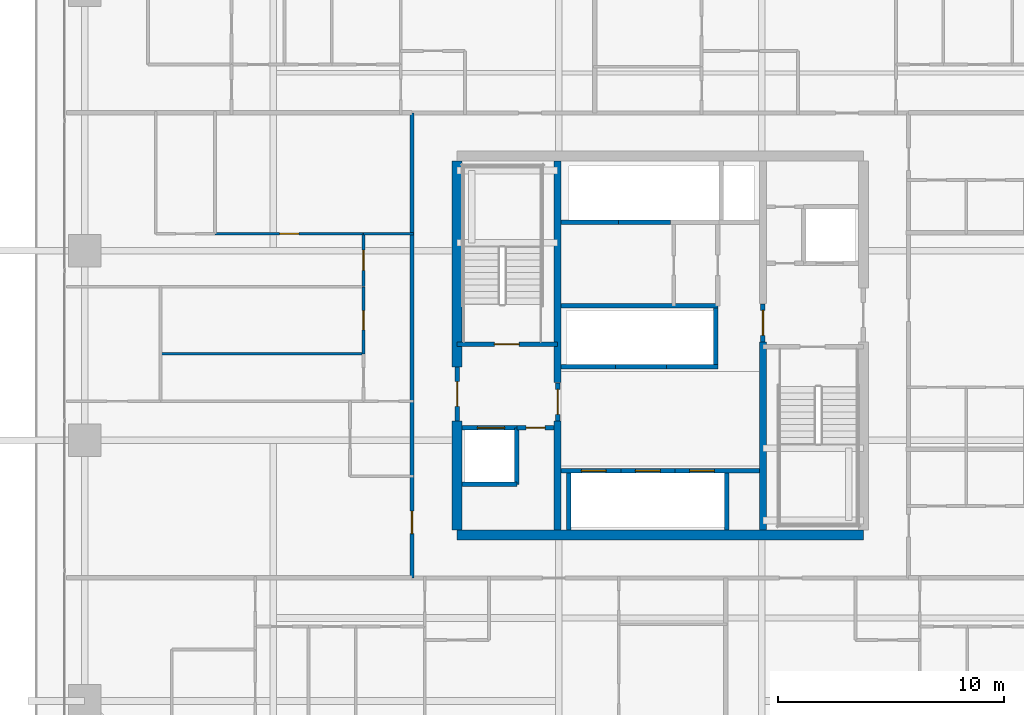
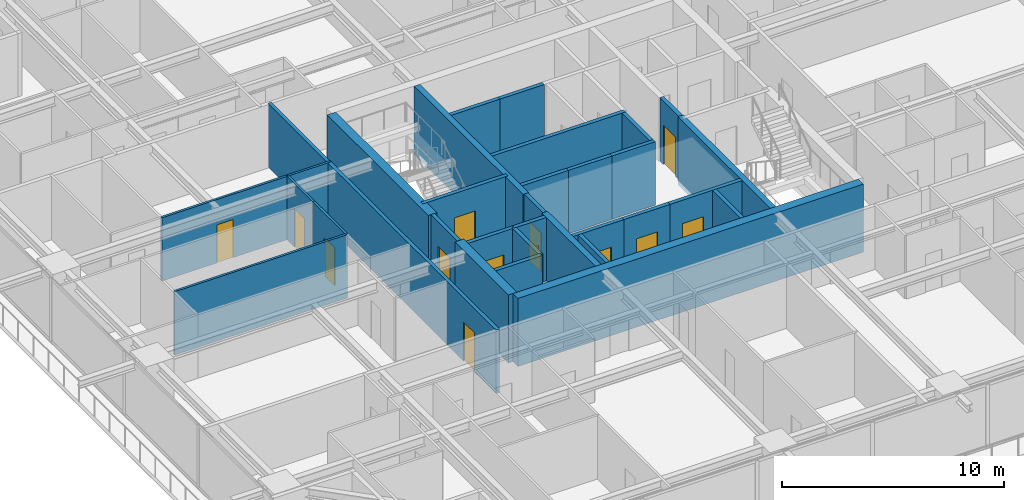
# One storey, part 28 of 38: 32 walls, 13 doors, 13 openings.
"""IFC4 building model written with IfcOpenShell, lengths in metres."""

from ifc_helpers import new_model, si_unit, direction, frame, frame_2d, origin, place, context, subcontext, project, spatial, rectangle, extrude, source, transform, mapped, material, layer, layer_set, type_object, element, fill, save


model = new_model("IFC4")

# Units and contexts
model_context = context("Model", 3, precision=1e-05, world=origin(), true_north=direction((0.0, 1.0)))
body_context = subcontext(model_context, "Body", "Model", "MODEL_VIEW")
ifc_project = project(units=[si_unit("LENGTHUNIT", "METRE"), si_unit("AREAUNIT", "SQUARE_METRE"), si_unit("VOLUMEUNIT", "CUBIC_METRE"), si_unit("PLANEANGLEUNIT", "RADIAN"), si_unit("MASSUNIT", "GRAM", prefix="KILO")], contexts=[model_context])

# Site, building, storey
site_placement = place(None, origin())
site = spatial("IfcSite", under=ifc_project, at=site_placement, CompositionType="ELEMENT")
building_placement = place(site_placement, origin())
building = spatial("IfcBuilding", under=site, at=building_placement, Name="Serunith Strait Residences", CompositionType="ELEMENT")
storey_placement = place(building_placement, frame((0.0, 0.0, 82.949951171875)))
storey = spatial("IfcBuildingStorey", under=building, at=storey_placement, Name="L20", CompositionType="ELEMENT", Elevation=82.949951171875)

# Wall, opening, door
ifc_material_1 = material(Name="Fire-rated acoustic gypsum partition")
ifc_layer_1 = layer(ifc_material_1, 0.179931640625, Name="Fire-rated acoustic gypsum partition")
ifc_layer_set_1 = layer_set([ifc_layer_1], Name="Fire-rated acoustic gypsum partition")
wall_type_1 = type_object("IfcWallType", Name="IW-CORR-180", PredefinedType="PARTITIONING", material=ifc_layer_set_1)
wall_1_placement = place(storey_placement, frame((21.39990234375, 14.89990234375, 0.0), z_axis=(0.0, 0.0, 1.0), x_axis=(0.0, 1.0, 0.0)))
wall_1 = element("IfcWall", 1, at=wall_1_placement, inside=storey, type_object=wall_type_1, Name="L20 Partition Wall 025", PredefinedType="PARTITIONING", context=body_context, shape_type="SweptSolid", body=[
    extrude(rectangle(XDim=20.60009765625, YDim=0.179931640625, at=frame_2d((10.300048828125, 0.0))), origin(), (0.0, 0.0, 1.0), 3.489990234375),
])
opening_1_placement = place(wall_1_placement, frame((1.9599609375, 0.0, 0.0)))
opening_1 = element("IfcOpeningElement", 2, at=opening_1_placement, cuts=wall_1, Name="Opening D-APT1000", PredefinedType="OPENING", context=body_context, shape_type="SweptSolid", body=[
    extrude(rectangle(XDim=1.0, YDim=2.14990234375, at=frame_2d((0.5, 1.074951171875))), frame((0.0, 0.10009765625, 0.0), z_axis=(0.0, -1.0, 0.0), x_axis=(1.0, 0.0, 0.0)), (0.0, 0.0, 1.0), 0.199951171875),
])
ifc_material_2 = material(Name="Solid timber engineered fire door", Category="wood")
door_type_1 = type_object("IfcDoorType", Name="ID-APT-1000", OperationType="NOTDEFINED", PredefinedType="DOOR", material=ifc_material_2)
shared_shape_1 = source(origin(), body_context, "Body", "SweptSolid", [
    extrude(rectangle(XDim=1.0, YDim=2.14990234375, at=frame_2d((0.5, 1.074951171875))), frame((0.0, 0.02490234375, 0.0), z_axis=(0.0, -1.0, 0.0), x_axis=(1.0, 0.0, 0.0)), (0.0, 0.0, 1.0), 0.050048828125),
])
door_1_placement = place(opening_1_placement, origin())
door_1 = element("IfcDoor", 3, at=door_1_placement, inside=storey, type_object=door_type_1, Name="L20 Unit 05 Entrance Door", OperationType="SINGLE_SWING_LEFT", OverallHeight=2.14990234375, OverallWidth=1.0, PredefinedType="DOOR", context=body_context, shape_type="MappedRepresentation", body=[
    mapped(shared_shape_1, transform((0.0, 0.0, 0.0), scale=1.0)),
])
fill(opening_1, door_1)

# Wall
ifc_material_3 = material(Name="Lightweight steel-stud gypsum partition", Category="steel")
ifc_layer_2 = layer(ifc_material_3, 0.1201171875, Name="Lightweight steel-stud gypsum partition")
ifc_layer_set_2 = layer_set([ifc_layer_2], Name="Lightweight steel-stud gypsum partition")
wall_type_2 = type_object("IfcWallType", Name="IW-PART-120", PredefinedType="PARTITIONING", material=ifc_layer_set_2)
wall_2_placement = place(storey_placement, frame((10.260009765625, 24.830078125, 0.0), z_axis=(0.0, 0.0, 1.0), x_axis=(1.0, 0.0, 0.0)))
element("IfcWall", 4, at=wall_2_placement, inside=storey, type_object=wall_type_2, Name="L20 Partition Wall 110", PredefinedType="PARTITIONING", context=body_context, shape_type="SweptSolid", body=[
    extrude(rectangle(XDim=8.989990234375, YDim=0.1201171875, at=frame_2d((4.4951171875, 0.0))), origin(), (0.0, 0.0, 1.0), 3.489990234375),
])

# Wall, opening, door
wall_3_placement = place(storey_placement, frame((19.25, 24.83203125, 0.0), z_axis=(0.0, 0.0, 1.0), x_axis=(0.0, 1.0, 0.0)))
wall_3 = element("IfcWall", 5, at=wall_3_placement, inside=storey, type_object=wall_type_2, Name="L20 Partition Wall 112", PredefinedType="PARTITIONING", context=body_context, shape_type="SweptSolid", body=[
    extrude(rectangle(XDim=2.968017578125, YDim=0.1201171875, at=frame_2d((1.48388671875, 0.0))), origin(), (0.0, 0.0, 1.0), 3.489990234375),
])
opening_2_placement = place(wall_3_placement, frame((1.05908203125, 0.0, 0.0)))
opening_2 = element("IfcOpeningElement", 6, at=opening_2_placement, cuts=wall_3, Name="Opening D-RM850", PredefinedType="OPENING", context=body_context, shape_type="SweptSolid", body=[
    extrude(rectangle(XDim=0.85009765625, YDim=2.10009765625, at=frame_2d((0.425048828125, 1.050048828125))), frame((0.0, 0.070068359375, 0.0), z_axis=(0.0, -1.0, 0.0), x_axis=(1.0, 0.0, 0.0)), (0.0, 0.0, 1.0), 0.14013671875),
])
ifc_material_4 = material(Name="Engineered timber flush study and kitchen door", Category="wood")
door_type_2 = type_object("IfcDoorType", Name="ID-ROOM-850", OperationType="NOTDEFINED", PredefinedType="DOOR", material=ifc_material_4)
shared_shape_2 = source(origin(), body_context, "Body", "SweptSolid", [
    extrude(rectangle(XDim=0.85009765625, YDim=2.10009765625, at=frame_2d((0.425048828125, 1.050048828125))), frame((0.0, 0.02490234375, 0.0), z_axis=(0.0, -1.0, 0.0), x_axis=(1.0, 0.0, 0.0)), (0.0, 0.0, 1.0), 0.050048828125),
])
door_2_placement = place(opening_2_placement, origin())
door_2 = element("IfcDoor", 7, at=door_2_placement, inside=storey, type_object=door_type_2, Name="L20 Study 2005 Door", OperationType="SINGLE_SWING_LEFT", OverallHeight=2.10009765625, OverallWidth=0.85009765625, PredefinedType="DOOR", context=body_context, shape_type="MappedRepresentation", body=[
    mapped(shared_shape_2, transform((0.0, 0.0, 0.0), scale=1.0)),
])
fill(opening_2, door_2)

wall_4_placement = place(storey_placement, frame((19.25, 27.802001953125, 0.0), z_axis=(0.0, 0.0, 1.0), x_axis=(0.0, 1.0, 0.0)))
wall_4 = element("IfcWall", 8, at=wall_4_placement, inside=storey, type_object=wall_type_2, Name="L20 Partition Wall 113", PredefinedType="PARTITIONING", context=body_context, shape_type="SweptSolid", body=[
    extrude(rectangle(XDim=2.347900390625, YDim=0.1201171875, at=frame_2d((1.173828125, 0.0))), origin(), (0.0, 0.0, 1.0), 3.489990234375),
])
opening_3_placement = place(wall_4_placement, frame((0.72412109375, 0.0, 0.0)))
opening_3 = element("IfcOpeningElement", 9, at=opening_3_placement, cuts=wall_4, Name="Opening D-RM900", PredefinedType="OPENING", context=body_context, shape_type="SweptSolid", body=[
    extrude(rectangle(XDim=0.89990234375, YDim=2.10009765625, at=frame_2d((0.449951171875, 1.050048828125))), frame((0.0, 0.070068359375, 0.0), z_axis=(0.0, -1.0, 0.0), x_axis=(1.0, 0.0, 0.0)), (0.0, 0.0, 1.0), 0.14013671875),
])
ifc_material_5 = material(Name="Engineered timber flush bedroom door", Category="wood")
door_type_3 = type_object("IfcDoorType", Name="ID-ROOM-900", OperationType="NOTDEFINED", PredefinedType="DOOR", material=ifc_material_5)
shared_shape_3 = source(origin(), body_context, "Body", "SweptSolid", [
    extrude(rectangle(XDim=0.89990234375, YDim=2.10009765625, at=frame_2d((0.449951171875, 1.050048828125))), frame((0.0, 0.02490234375, 0.0), z_axis=(0.0, -1.0, 0.0), x_axis=(1.0, 0.0, 0.0)), (0.0, 0.0, 1.0), 0.050048828125),
])
door_3_placement = place(opening_3_placement, origin())
door_3 = element("IfcDoor", 10, at=door_3_placement, inside=storey, type_object=door_type_3, Name="L20 Master Bedroom E 2005 Door", OperationType="SINGLE_SWING_RIGHT", OverallHeight=2.10009765625, OverallWidth=0.89990234375, PredefinedType="DOOR", context=body_context, shape_type="MappedRepresentation", body=[
    mapped(shared_shape_3, transform((0.0, 0.0, 0.0), scale=1.0)),
])
fill(opening_3, door_3)

wall_5_placement = place(storey_placement, frame((12.6689453125, 30.14990234375, 0.0), z_axis=(0.0, 0.0, 1.0), x_axis=(1.0, 0.0, 0.0)))
wall_5 = element("IfcWall", 11, at=wall_5_placement, inside=storey, type_object=wall_type_2, Name="L20 Partition Wall 117", PredefinedType="PARTITIONING", context=body_context, shape_type="SweptSolid", body=[
    extrude(rectangle(XDim=6.5810546875, YDim=0.1201171875, at=frame_2d((3.29052734375, 0.0))), origin(), (0.0, 0.0, 1.0), 3.489990234375),
])
opening_4_placement = place(wall_5_placement, frame((2.864990234375, 0.0, 0.0)))
opening_4 = element("IfcOpeningElement", 12, at=opening_4_placement, cuts=wall_5, Name="Opening D-RM850", PredefinedType="OPENING", context=body_context, shape_type="SweptSolid", body=[
    extrude(rectangle(XDim=0.85009765625, YDim=2.10009765625, at=frame_2d((0.425048828125, 1.050048828125))), frame((0.0, 0.070068359375, 0.0), z_axis=(0.0, -1.0, 0.0), x_axis=(1.0, 0.0, 0.0)), (0.0, 0.0, 1.0), 0.14013671875),
])
door_4_placement = place(opening_4_placement, origin())
door_4 = element("IfcDoor", 13, at=door_4_placement, inside=storey, type_object=door_type_2, Name="L20 Wardrobe E 2005 Door", OperationType="SINGLE_SWING_RIGHT", OverallHeight=2.10009765625, OverallWidth=0.85009765625, PredefinedType="DOOR", context=body_context, shape_type="MappedRepresentation", body=[
    mapped(shared_shape_2, transform((0.0, 0.0, 0.0), scale=1.0)),
])
fill(opening_4, door_4)

# Wall
wall_6_placement = place(storey_placement, frame((19.251953125, 30.14990234375, 0.0), z_axis=(0.0, 0.0, 1.0), x_axis=(1.0, 0.0, 0.0)))
element("IfcWall", 14, at=wall_6_placement, inside=storey, type_object=wall_type_2, Name="L20 Partition Wall 118", PredefinedType="PARTITIONING", context=body_context, shape_type="SweptSolid", body=[
    extrude(rectangle(XDim=2.2080078125, YDim=0.1201171875, at=frame_2d((1.10400390625, 0.0))), origin(), (0.0, 0.0, 1.0), 3.489990234375),
])

# Wall, opening, door
ifc_material_6 = material(Name="Autoclaved aerated concrete blockwork", Category="masonry")
ifc_layer_3 = layer(ifc_material_6, 0.199951171875, Name="Autoclaved aerated concrete blockwork")
ifc_layer_set_3 = layer_set([ifc_layer_3], Name="Autoclaved aerated concrete blockwork")
wall_type_3 = type_object("IfcWallType", Name="IW-SHAFT-200", PredefinedType="STANDARD", material=ifc_layer_set_3)
wall_7_placement = place(storey_placement, frame((23.39990234375, 25.25, 0.0), z_axis=(0.0, 0.0, 1.0), x_axis=(1.0, 0.0, 0.0)))
wall_7 = element("IfcWall", 15, at=wall_7_placement, inside=storey, type_object=wall_type_3, Name="L20 ST-1 South Shaft Wall", PredefinedType="STANDARD", context=body_context, shape_type="SweptSolid", body=[
    extrude(rectangle(XDim=4.4501953125, YDim=0.199951171875, at=frame_2d((2.22509765625, 0.0))), origin(), (0.0, 0.0, 1.0), 3.489990234375),
])
opening_5_placement = place(wall_7_placement, frame((1.64990234375, 0.0, 0.0)))
opening_5 = element("IfcOpeningElement", 16, at=opening_5_placement, cuts=wall_7, Name="Opening FD-1100", PredefinedType="OPENING", context=body_context, shape_type="SweptSolid", body=[
    extrude(rectangle(XDim=1.10009765625, YDim=2.14990234375, at=frame_2d((0.550048828125, 1.074951171875))), frame((0.0, 0.10986328125, 0.0), z_axis=(0.0, -1.0, 0.0), x_axis=(1.0, 0.0, 0.0)), (0.0, 0.0, 1.0), 0.219970703125),
])
ifc_material_7 = material(Name="Galvanised steel fire door leaf", Category="steel")
door_type_4 = type_object("IfcDoorType", Name="FD-STAIR-1100", OperationType="NOTDEFINED", PredefinedType="DOOR", material=ifc_material_7)
shared_shape_4 = source(origin(), body_context, "Body", "SweptSolid", [
    extrude(rectangle(XDim=1.10009765625, YDim=2.14990234375, at=frame_2d((0.550048828125, 1.074951171875))), frame((0.0, 0.02490234375, 0.0), z_axis=(0.0, -1.0, 0.0), x_axis=(1.0, 0.0, 0.0)), (0.0, 0.0, 1.0), 0.050048828125),
])
door_5_placement = place(opening_5_placement, origin())
door_5 = element("IfcDoor", 17, at=door_5_placement, inside=storey, type_object=door_type_4, Name="L20 ST-1 Escape Stair Door", OperationType="SINGLE_SWING_RIGHT", OverallHeight=2.14990234375, OverallWidth=1.10009765625, PredefinedType="DOOR", context=body_context, shape_type="MappedRepresentation", body=[
    mapped(shared_shape_4, transform((0.0, 0.0, 0.0), scale=1.0)),
])
fill(opening_5, door_5)

wall_8_placement = place(storey_placement, frame((23.625, 21.550048828125, 0.0), z_axis=(0.0, 0.0, 1.0), x_axis=(1.0, 0.0, 0.0)))
wall_8 = element("IfcWall", 18, at=wall_8_placement, inside=storey, type_object=wall_type_3, Name="L20 FL-1 North Shaft Wall", PredefinedType="STANDARD", context=body_context, shape_type="SweptSolid", body=[
    extrude(rectangle(XDim=2.425048828125, YDim=0.199951171875, at=frame_2d((1.21240234375, 0.0))), origin(), (0.0, 0.0, 1.0), 3.489990234375),
])
opening_6_placement = place(wall_8_placement, frame((0.675048828125, 0.0, 0.0)))
opening_6 = element("IfcOpeningElement", 19, at=opening_6_placement, cuts=wall_8, Name="Opening LD-FF1200", PredefinedType="OPENING", context=body_context, shape_type="SweptSolid", body=[
    extrude(rectangle(XDim=1.199951171875, YDim=2.199951171875, at=frame_2d((0.60009765625, 1.10009765625))), frame((0.0, 0.10986328125, 0.0), z_axis=(0.0, -1.0, 0.0), x_axis=(1.0, 0.0, 0.0)), (0.0, 0.0, 1.0), 0.219970703125),
])
ifc_material_8 = material(Name="Brushed stainless steel landing door", Category="steel")
door_type_5 = type_object("IfcDoorType", Name="LD-FF-1200", OperationType="DOUBLE_DOOR_SLIDING", PredefinedType="DOOR", material=ifc_material_8)
shared_shape_5 = source(origin(), body_context, "Body", "SweptSolid", [
    extrude(rectangle(XDim=1.199951171875, YDim=2.199951171875, at=frame_2d((0.60009765625, 1.10009765625))), frame((0.0, 0.02490234375, 0.0), z_axis=(0.0, -1.0, 0.0), x_axis=(1.0, 0.0, 0.0)), (0.0, 0.0, 1.0), 0.050048828125),
])
door_6_placement = place(opening_6_placement, origin())
door_6 = element("IfcDoor", 20, at=door_6_placement, inside=storey, type_object=door_type_5, Name="L20 FL-1 Landing Door", OperationType="DOUBLE_DOOR_SLIDING", OverallHeight=2.199951171875, OverallWidth=1.199951171875, PredefinedType="DOOR", context=body_context, shape_type="MappedRepresentation", body=[
    mapped(shared_shape_5, transform((0.0, 0.0, 0.0), scale=1.0)),
])
fill(opening_6, door_6)

wall_9_placement = place(storey_placement, frame((28.0, 19.64990234375, 0.0), z_axis=(0.0, 0.0, 1.0), x_axis=(1.0, 0.0, 0.0)))
wall_9 = element("IfcWall", 21, at=wall_9_placement, inside=storey, type_object=wall_type_3, Name="L20 PL-1 North Shaft Wall", PredefinedType="STANDARD", context=body_context, shape_type="SweptSolid", body=[
    extrude(rectangle(XDim=2.64990234375, YDim=0.199951171875, at=frame_2d((1.324951171875, 0.0))), origin(), (0.0, 0.0, 1.0), 3.489990234375),
])
opening_7_placement = place(wall_9_placement, frame((0.89990234375, 0.0, 0.0)))
opening_7 = element("IfcOpeningElement", 22, at=opening_7_placement, cuts=wall_9, Name="Opening LD-1100", PredefinedType="OPENING", context=body_context, shape_type="SweptSolid", body=[
    extrude(rectangle(XDim=1.10009765625, YDim=2.199951171875, at=frame_2d((0.550048828125, 1.10009765625))), frame((0.0, 0.10986328125, 0.0), z_axis=(0.0, -1.0, 0.0), x_axis=(1.0, 0.0, 0.0)), (0.0, 0.0, 1.0), 0.219970703125),
])
ifc_material_9 = material(Name="Pale-champagne stainless landing door")
door_type_6 = type_object("IfcDoorType", Name="LD-LIFT-1100", OperationType="DOUBLE_DOOR_SLIDING", PredefinedType="DOOR", material=ifc_material_9)
shared_shape_6 = source(origin(), body_context, "Body", "SweptSolid", [
    extrude(rectangle(XDim=1.10009765625, YDim=2.199951171875, at=frame_2d((0.550048828125, 1.10009765625))), frame((0.0, 0.02490234375, 0.0), z_axis=(0.0, -1.0, 0.0), x_axis=(1.0, 0.0, 0.0)), (0.0, 0.0, 1.0), 0.050048828125),
])
door_7_placement = place(opening_7_placement, origin())
door_7 = element("IfcDoor", 23, at=door_7_placement, inside=storey, type_object=door_type_6, Name="L20 PL-1 Landing Door", OperationType="DOUBLE_DOOR_SLIDING", OverallHeight=2.199951171875, OverallWidth=1.10009765625, PredefinedType="DOOR", context=body_context, shape_type="MappedRepresentation", body=[
    mapped(shared_shape_6, transform((0.0, 0.0, 0.0), scale=1.0)),
])
fill(opening_7, door_7)

# Wall
wall_10_placement = place(storey_placement, frame((28.35009765625, 17.02490234375, 0.0), z_axis=(0.0, 0.0, 1.0), x_axis=(0.0, 1.0, 0.0)))
element("IfcWall", 24, at=wall_10_placement, inside=storey, type_object=wall_type_3, Name="L20 PL-1 West Shaft Wall", PredefinedType="STANDARD", context=body_context, shape_type="SweptSolid", body=[
    extrude(rectangle(XDim=2.525146484375, YDim=0.199951171875, at=frame_2d((1.2626953125, 0.0))), origin(), (0.0, 0.0, 1.0), 3.489990234375),
])

# Wall, opening, door
wall_11_placement = place(storey_placement, frame((30.64990234375, 19.64990234375, 0.0), z_axis=(0.0, 0.0, 1.0), x_axis=(1.0, 0.0, 0.0)))
wall_11 = element("IfcWall", 25, at=wall_11_placement, inside=storey, type_object=wall_type_3, Name="L20 PL-2 North Shaft Wall", PredefinedType="STANDARD", context=body_context, shape_type="SweptSolid", body=[
    extrude(rectangle(XDim=2.400146484375, YDim=0.199951171875, at=frame_2d((1.2001953125, 0.0))), origin(), (0.0, 0.0, 1.0), 3.489990234375),
])
opening_8_placement = place(wall_11_placement, frame((0.64990234375, 0.0, 0.0)))
opening_8 = element("IfcOpeningElement", 26, at=opening_8_placement, cuts=wall_11, Name="Opening LD-1100", PredefinedType="OPENING", context=body_context, shape_type="SweptSolid", body=[
    extrude(rectangle(XDim=1.10009765625, YDim=2.199951171875, at=frame_2d((0.550048828125, 1.10009765625))), frame((0.0, 0.10986328125, 0.0), z_axis=(0.0, -1.0, 0.0), x_axis=(1.0, 0.0, 0.0)), (0.0, 0.0, 1.0), 0.219970703125),
])
door_8_placement = place(opening_8_placement, origin())
door_8 = element("IfcDoor", 27, at=door_8_placement, inside=storey, type_object=door_type_6, Name="L20 PL-2 Landing Door", OperationType="DOUBLE_DOOR_SLIDING", OverallHeight=2.199951171875, OverallWidth=1.10009765625, PredefinedType="DOOR", context=body_context, shape_type="MappedRepresentation", body=[
    mapped(shared_shape_6, transform((0.0, 0.0, 0.0), scale=1.0)),
])
fill(opening_8, door_8)

wall_12_placement = place(storey_placement, frame((33.050048828125, 19.64990234375, 0.0), z_axis=(0.0, 0.0, 1.0), x_axis=(1.0, 0.0, 0.0)))
wall_12 = element("IfcWall", 28, at=wall_12_placement, inside=storey, type_object=wall_type_3, Name="L20 PL-3 North Shaft Wall", PredefinedType="STANDARD", context=body_context, shape_type="SweptSolid", body=[
    extrude(rectangle(XDim=3.75, YDim=0.199951171875, at=frame_2d((1.875, 0.0))), origin(), (0.0, 0.0, 1.0), 3.489990234375),
])
opening_9_placement = place(wall_12_placement, frame((0.64990234375, 0.0, 0.0)))
opening_9 = element("IfcOpeningElement", 29, at=opening_9_placement, cuts=wall_12, Name="Opening LD-1100", PredefinedType="OPENING", context=body_context, shape_type="SweptSolid", body=[
    extrude(rectangle(XDim=1.10009765625, YDim=2.199951171875, at=frame_2d((0.550048828125, 1.10009765625))), frame((0.0, 0.10986328125, 0.0), z_axis=(0.0, -1.0, 0.0), x_axis=(1.0, 0.0, 0.0)), (0.0, 0.0, 1.0), 0.219970703125),
])
door_9_placement = place(opening_9_placement, origin())
door_9 = element("IfcDoor", 30, at=door_9_placement, inside=storey, type_object=door_type_6, Name="L20 PL-3 Landing Door", OperationType="DOUBLE_DOOR_SLIDING", OverallHeight=2.199951171875, OverallWidth=1.10009765625, PredefinedType="DOOR", context=body_context, shape_type="MappedRepresentation", body=[
    mapped(shared_shape_6, transform((0.0, 0.0, 0.0), scale=1.0)),
])
fill(opening_9, door_9)

# Walls
wall_13_placement = place(storey_placement, frame((35.35009765625, 17.02490234375, 0.0), z_axis=(0.0, 0.0, 1.0), x_axis=(0.0, 1.0, 0.0)))
element("IfcWall", 31, at=wall_13_placement, inside=storey, type_object=wall_type_3, Name="L20 PL-3 East Shaft Wall", PredefinedType="STANDARD", context=body_context, shape_type="SweptSolid", body=[
    extrude(rectangle(XDim=2.525146484375, YDim=0.199951171875, at=frame_2d((1.2626953125, 0.0))), origin(), (0.0, 0.0, 1.0), 3.489990234375),
])
wall_14_placement = place(storey_placement, frame((28.0, 24.25, 0.0), z_axis=(0.0, 0.0, 1.0), x_axis=(1.0, 0.0, 0.0)))
element("IfcWall", 32, at=wall_14_placement, inside=storey, type_object=wall_type_3, Name="L20 PL-4 South Shaft Wall", PredefinedType="STANDARD", context=body_context, shape_type="SweptSolid", body=[
    extrude(rectangle(XDim=2.425048828125, YDim=0.199951171875, at=frame_2d((1.21240234375, 0.0))), origin(), (0.0, 0.0, 1.0), 3.489990234375),
])
wall_15_placement = place(storey_placement, frame((30.425048828125, 24.25, 0.0), z_axis=(0.0, 0.0, 1.0), x_axis=(1.0, 0.0, 0.0)))
element("IfcWall", 33, at=wall_15_placement, inside=storey, type_object=wall_type_3, Name="L20 PL-5 South Shaft Wall", PredefinedType="STANDARD", context=body_context, shape_type="SweptSolid", body=[
    extrude(rectangle(XDim=2.25, YDim=0.199951171875, at=frame_2d((1.125, 0.0))), origin(), (0.0, 0.0, 1.0), 3.489990234375),
])
wall_16_placement = place(storey_placement, frame((32.675048828125, 24.25, 0.0), z_axis=(0.0, 0.0, 1.0), x_axis=(1.0, 0.0, 0.0)))
element("IfcWall", 34, at=wall_16_placement, inside=storey, type_object=wall_type_3, Name="L20 PL-6 South Shaft Wall", PredefinedType="STANDARD", context=body_context, shape_type="SweptSolid", body=[
    extrude(rectangle(XDim=2.27490234375, YDim=0.199951171875, at=frame_2d((1.137451171875, 0.0))), origin(), (0.0, 0.0, 1.0), 3.489990234375),
])
wall_17_placement = place(storey_placement, frame((34.85009765625, 24.35009765625, 0.0), z_axis=(0.0, 0.0, 1.0), x_axis=(0.0, 1.0, 0.0)))
element("IfcWall", 35, at=wall_17_placement, inside=storey, type_object=wall_type_3, Name="L20 PL-6 East Shaft Wall", PredefinedType="STANDARD", context=body_context, shape_type="SweptSolid", body=[
    extrude(rectangle(XDim=2.5, YDim=0.199951171875, at=frame_2d((1.25, 0.0))), origin(), (0.0, 0.0, 1.0), 3.489990234375),
])
wall_18_placement = place(storey_placement, frame((28.0, 30.64990234375, 0.0), z_axis=(0.0, 0.0, 1.0), x_axis=(1.0, 0.0, 0.0)))
element("IfcWall", 36, at=wall_18_placement, inside=storey, type_object=wall_type_3, Name="L20 PL-7 South Shaft Wall", PredefinedType="STANDARD", context=body_context, shape_type="SweptSolid", body=[
    extrude(rectangle(XDim=2.550048828125, YDim=0.199951171875, at=frame_2d((1.27490234375, 0.0))), origin(), (0.0, 0.0, 1.0), 3.489990234375),
])
wall_19_placement = place(storey_placement, frame((30.550048828125, 30.64990234375, 0.0), z_axis=(0.0, 0.0, 1.0), x_axis=(1.0, 0.0, 0.0)))
element("IfcWall", 37, at=wall_19_placement, inside=storey, type_object=wall_type_3, Name="L20 PL-8 South Shaft Wall", PredefinedType="STANDARD", context=body_context, shape_type="SweptSolid", body=[
    extrude(rectangle(XDim=2.300048828125, YDim=0.199951171875, at=frame_2d((1.14990234375, 0.0))), origin(), (0.0, 0.0, 1.0), 3.489990234375),
])
wall_20_placement = place(storey_placement, frame((26.050048828125, 19.050048828125, 0.0), z_axis=(0.0, 0.0, 1.0), x_axis=(0.0, 1.0, 0.0)))
element("IfcWall", 38, at=wall_20_placement, inside=storey, type_object=wall_type_3, Name="L20 Partition Wall 001", PredefinedType="STANDARD", context=body_context, shape_type="SweptSolid", body=[
    extrude(rectangle(XDim=2.5, YDim=0.199951171875, at=frame_2d((1.25, 0.0))), origin(), (0.0, 0.0, 1.0), 3.489990234375),
])
wall_21_placement = place(storey_placement, frame((23.625, 19.050048828125, 0.0), z_axis=(0.0, 0.0, 1.0), x_axis=(1.0, 0.0, 0.0)))
element("IfcWall", 39, at=wall_21_placement, inside=storey, type_object=wall_type_3, Name="L20 Partition Wall 002", PredefinedType="STANDARD", context=body_context, shape_type="SweptSolid", body=[
    extrude(rectangle(XDim=2.425048828125, YDim=0.199951171875, at=frame_2d((1.21240234375, 0.0))), origin(), (0.0, 0.0, 1.0), 3.489990234375),
])

# Wall, opening, door
wall_22_placement = place(storey_placement, frame((26.052001953125, 21.550048828125, 0.0), z_axis=(0.0, 0.0, 1.0), x_axis=(1.0, 0.0, 0.0)))
wall_22 = element("IfcWall", 40, at=wall_22_placement, inside=storey, type_object=wall_type_3, Name="L20 Partition Wall 003", PredefinedType="STANDARD", context=body_context, shape_type="SweptSolid", body=[
    extrude(rectangle(XDim=1.64794921875, YDim=0.199951171875, at=frame_2d((0.823974609375, 0.0))), origin(), (0.0, 0.0, 1.0), 3.489990234375),
])
opening_10_placement = place(wall_22_placement, frame((0.39892578125, 0.0, 0.0)))
opening_10 = element("IfcOpeningElement", 41, at=opening_10_placement, cuts=wall_22, Name="Opening FD-850", PredefinedType="OPENING", context=body_context, shape_type="SweptSolid", body=[
    extrude(rectangle(XDim=0.85009765625, YDim=2.10009765625, at=frame_2d((0.425048828125, 1.050048828125))), frame((0.0, 0.10986328125, 0.0), z_axis=(0.0, -1.0, 0.0), x_axis=(1.0, 0.0, 0.0)), (0.0, 0.0, 1.0), 0.219970703125),
])
ifc_material_10 = material(Name="Powder-coated steel service closet door", Category="steel")
door_type_7 = type_object("IfcDoorType", Name="FD-BOH-850", OperationType="NOTDEFINED", PredefinedType="DOOR", material=ifc_material_10)
door_10_placement = place(opening_10_placement, origin())
door_10 = element("IfcDoor", 42, at=door_10_placement, inside=storey, type_object=door_type_7, Name="L20 South-West Core Service Door", OperationType="SINGLE_SWING_RIGHT", OverallHeight=2.10009765625, OverallWidth=0.85009765625, PredefinedType="DOOR", context=body_context, shape_type="MappedRepresentation", body=[
    mapped(shared_shape_2, transform((0.0, 0.0, 0.0), scale=1.0)),
])
fill(opening_10, door_10)

wall_23_placement = place(storey_placement, frame((23.39990234375, 21.85205078125, 0.0), z_axis=(0.0, 0.0, 1.0), x_axis=(0.0, 1.0, 0.0)))
wall_23 = element("IfcWall", 43, at=wall_23_placement, inside=storey, type_object=wall_type_3, Name="L20 Partition Wall 007", PredefinedType="STANDARD", context=body_context, shape_type="SweptSolid", body=[
    extrude(rectangle(XDim=2.39599609375, YDim=0.199951171875, at=frame_2d((1.197998046875, 0.0))), origin(), (0.0, 0.0, 1.0), 3.489990234375),
])
opening_11_placement = place(wall_23_placement, frame((0.64794921875, 0.0, 0.0)))
opening_11 = element("IfcOpeningElement", 44, at=opening_11_placement, cuts=wall_23, Name="Opening FD-FFL", PredefinedType="OPENING", context=body_context, shape_type="SweptSolid", body=[
    extrude(rectangle(XDim=1.10009765625, YDim=2.14990234375, at=frame_2d((0.550048828125, 1.074951171875))), frame((0.0, 0.10986328125, 0.0), z_axis=(0.0, -1.0, 0.0), x_axis=(1.0, 0.0, 0.0)), (0.0, 0.0, 1.0), 0.219970703125),
])
ifc_material_11 = material(Name="Glazed steel smoke-lobby fire door", Category="steel")
door_type_8 = type_object("IfcDoorType", Name="FD-FFL-1100", OperationType="NOTDEFINED", PredefinedType="DOOR", material=ifc_material_11)
door_11_placement = place(opening_11_placement, origin())
door_11 = element("IfcDoor", 45, at=door_11_placement, inside=storey, type_object=door_type_8, Name="L20 FFL-1 Corridor Fire Door", OperationType="SINGLE_SWING_RIGHT", OverallHeight=2.14990234375, OverallWidth=1.10009765625, PredefinedType="DOOR", context=body_context, shape_type="MappedRepresentation", body=[
    mapped(shared_shape_4, transform((0.0, 0.0, 0.0), scale=1.0)),
])
fill(opening_11, door_11)

wall_24_placement = place(storey_placement, frame((27.85009765625, 21.85205078125, 0.0), z_axis=(0.0, 0.0, 1.0), x_axis=(0.0, 1.0, 0.0)))
wall_24 = element("IfcWall", 46, at=wall_24_placement, inside=storey, type_object=wall_type_3, Name="L20 Partition Wall 009", PredefinedType="STANDARD", context=body_context, shape_type="SweptSolid", body=[
    extrude(rectangle(XDim=1.696044921875, YDim=0.199951171875, at=frame_2d((0.84814453125, 0.0))), origin(), (0.0, 0.0, 1.0), 3.489990234375),
])
opening_12_placement = place(wall_24_placement, frame((0.298095703125, 0.0, 0.0)))
opening_12 = element("IfcOpeningElement", 47, at=opening_12_placement, cuts=wall_24, Name="Opening FD-FFL", PredefinedType="OPENING", context=body_context, shape_type="SweptSolid", body=[
    extrude(rectangle(XDim=1.10009765625, YDim=2.14990234375, at=frame_2d((0.550048828125, 1.074951171875))), frame((0.0, 0.10986328125, 0.0), z_axis=(0.0, -1.0, 0.0), x_axis=(1.0, 0.0, 0.0)), (0.0, 0.0, 1.0), 0.219970703125),
])
door_12_placement = place(opening_12_placement, origin())
door_12 = element("IfcDoor", 48, at=door_12_placement, inside=storey, type_object=door_type_8, Name="L20 FFL-1 Lift Lobby Door", OperationType="SINGLE_SWING_RIGHT", OverallHeight=2.14990234375, OverallWidth=1.10009765625, PredefinedType="DOOR", context=body_context, shape_type="MappedRepresentation", body=[
    mapped(shared_shape_4, transform((0.0, 0.0, 0.0), scale=1.0)),
])
fill(opening_12, door_12)

wall_25_placement = place(storey_placement, frame((36.949951171875, 25.35205078125, 0.0), z_axis=(0.0, 0.0, 1.0), x_axis=(0.0, 1.0, 0.0)))
wall_25 = element("IfcWall", 49, at=wall_25_placement, inside=storey, type_object=wall_type_3, Name="L20 Partition Wall 010", PredefinedType="STANDARD", context=body_context, shape_type="SweptSolid", body=[
    extrude(rectangle(XDim=1.696044921875, YDim=0.199951171875, at=frame_2d((0.84814453125, 0.0))), origin(), (0.0, 0.0, 1.0), 3.489990234375),
])
opening_13_placement = place(wall_25_placement, frame((0.298095703125, 0.0, 0.0)))
opening_13 = element("IfcOpeningElement", 50, at=opening_13_placement, cuts=wall_25, Name="Opening FD-FFL", PredefinedType="OPENING", context=body_context, shape_type="SweptSolid", body=[
    extrude(rectangle(XDim=1.10009765625, YDim=2.14990234375, at=frame_2d((0.550048828125, 1.074951171875))), frame((0.0, 0.10986328125, 0.0), z_axis=(0.0, -1.0, 0.0), x_axis=(1.0, 0.0, 0.0)), (0.0, 0.0, 1.0), 0.219970703125),
])
door_13_placement = place(opening_13_placement, origin())
door_13 = element("IfcDoor", 51, at=door_13_placement, inside=storey, type_object=door_type_8, Name="L20 FFL-2 Lift Lobby Door", OperationType="SINGLE_SWING_LEFT", OverallHeight=2.14990234375, OverallWidth=1.10009765625, PredefinedType="DOOR", context=body_context, shape_type="MappedRepresentation", body=[
    mapped(shared_shape_4, transform((0.0, 0.0, 0.0), scale=1.0)),
])
fill(opening_13, door_13)

# Walls
wall_26_placement = place(storey_placement, frame((28.0, 26.949951171875, 0.0), z_axis=(0.0, 0.0, 1.0), x_axis=(1.0, 0.0, 0.0)))
element("IfcWall", 52, at=wall_26_placement, inside=storey, type_object=wall_type_3, Name="L20 Partition Wall 011", PredefinedType="STANDARD", context=body_context, shape_type="SweptSolid", body=[
    extrude(rectangle(XDim=6.949951171875, YDim=0.199951171875, at=frame_2d((3.47509765625, 0.0))), origin(), (0.0, 0.0, 1.0), 3.489990234375),
])
ifc_material_12 = material(Name="Concrete C80/95", Category="concrete")
ifc_layer_4 = layer(ifc_material_12, 0.300048828125, Name="Concrete C80/95")
ifc_layer_set_4 = layer_set([ifc_layer_4], Name="Concrete C80/95")
wall_type_4 = type_object("IfcWallType", Name="SW-300-C80", PredefinedType="SHEAR", material=ifc_layer_set_4)
wall_27_placement = place(storey_placement, frame((27.85009765625, 17.02490234375, -0.260009765625), z_axis=(0.0, 0.0, 1.0), x_axis=(0.0, 1.0, 0.0)))
element("IfcWall", 53, at=wall_27_placement, inside=storey, type_object=wall_type_4, Name="L20 Core Internal West Web South Pier", PredefinedType="SHEAR", context=body_context, shape_type="SweptSolid", body=[
    extrude(rectangle(XDim=4.8251953125, YDim=0.300048828125, at=frame_2d((2.41259765625, 0.0))), origin(), (0.0, 0.0, 1.0), 3.748046875),
])
wall_28_placement = place(storey_placement, frame((27.85009765625, 23.550048828125, -0.260009765625), z_axis=(0.0, 0.0, 1.0), x_axis=(0.0, 1.0, 0.0)))
element("IfcWall", 54, at=wall_28_placement, inside=storey, type_object=wall_type_4, Name="L20 Core Internal West Web North Pier", PredefinedType="SHEAR", context=body_context, shape_type="SweptSolid", body=[
    extrude(rectangle(XDim=9.824951171875, YDim=0.300048828125, at=frame_2d((4.91259765625, 0.0))), origin(), (0.0, 0.0, 1.0), 3.748046875),
])
wall_29_placement = place(storey_placement, frame((36.949951171875, 17.02490234375, -0.260009765625), z_axis=(0.0, 0.0, 1.0), x_axis=(0.0, 1.0, 0.0)))
element("IfcWall", 55, at=wall_29_placement, inside=storey, type_object=wall_type_4, Name="L20 Core Internal East Web South Pier", PredefinedType="SHEAR", context=body_context, shape_type="SweptSolid", body=[
    extrude(rectangle(XDim=8.3251953125, YDim=0.300048828125, at=frame_2d((4.16259765625, 0.0))), origin(), (0.0, 0.0, 1.0), 3.748046875),
])
ifc_layer_5 = layer(ifc_material_12, 0.449951171875, Name="Concrete C80/95")
ifc_layer_set_5 = layer_set([ifc_layer_5], Name="Concrete C80/95")
wall_type_5 = type_object("IfcWallType", Name="SW-450-C80", PredefinedType="SHEAR", material=ifc_layer_set_5)
wall_30_placement = place(storey_placement, frame((23.39990234375, 16.800048828125, -0.260009765625), z_axis=(0.0, 0.0, 1.0), x_axis=(1.0, 0.0, 0.0)))
element("IfcWall", 56, at=wall_30_placement, inside=storey, type_object=wall_type_5, Name="L20 Core South Shear Wall", PredefinedType="SHEAR", context=body_context, shape_type="SweptSolid", body=[
    extrude(rectangle(XDim=18.0, YDim=0.449951171875, at=frame_2d((9.0, 0.0))), origin(), (0.0, 0.0, 1.0), 3.748046875),
])
wall_31_placement = place(storey_placement, frame((23.39990234375, 17.02490234375, -0.260009765625), z_axis=(0.0, 0.0, 1.0), x_axis=(0.0, 1.0, 0.0)))
element("IfcWall", 57, at=wall_31_placement, inside=storey, type_object=wall_type_5, Name="L20 Core West Shear Wall South Pier", PredefinedType="SHEAR", context=body_context, shape_type="SweptSolid", body=[
    extrude(rectangle(XDim=4.8251953125, YDim=0.449951171875, at=frame_2d((2.41259765625, 0.0))), origin(), (0.0, 0.0, 1.0), 3.748046875),
])
wall_32_placement = place(storey_placement, frame((23.39990234375, 24.25, -0.260009765625), z_axis=(0.0, 0.0, 1.0), x_axis=(0.0, 1.0, 0.0)))
element("IfcWall", 58, at=wall_32_placement, inside=storey, type_object=wall_type_5, Name="L20 Core West Shear Wall North Pier", PredefinedType="SHEAR", context=body_context, shape_type="SweptSolid", body=[
    extrude(rectangle(XDim=9.125, YDim=0.449951171875, at=frame_2d((4.5625, 0.0))), origin(), (0.0, 0.0, 1.0), 3.748046875),
])

save(model, "model.ifc")
